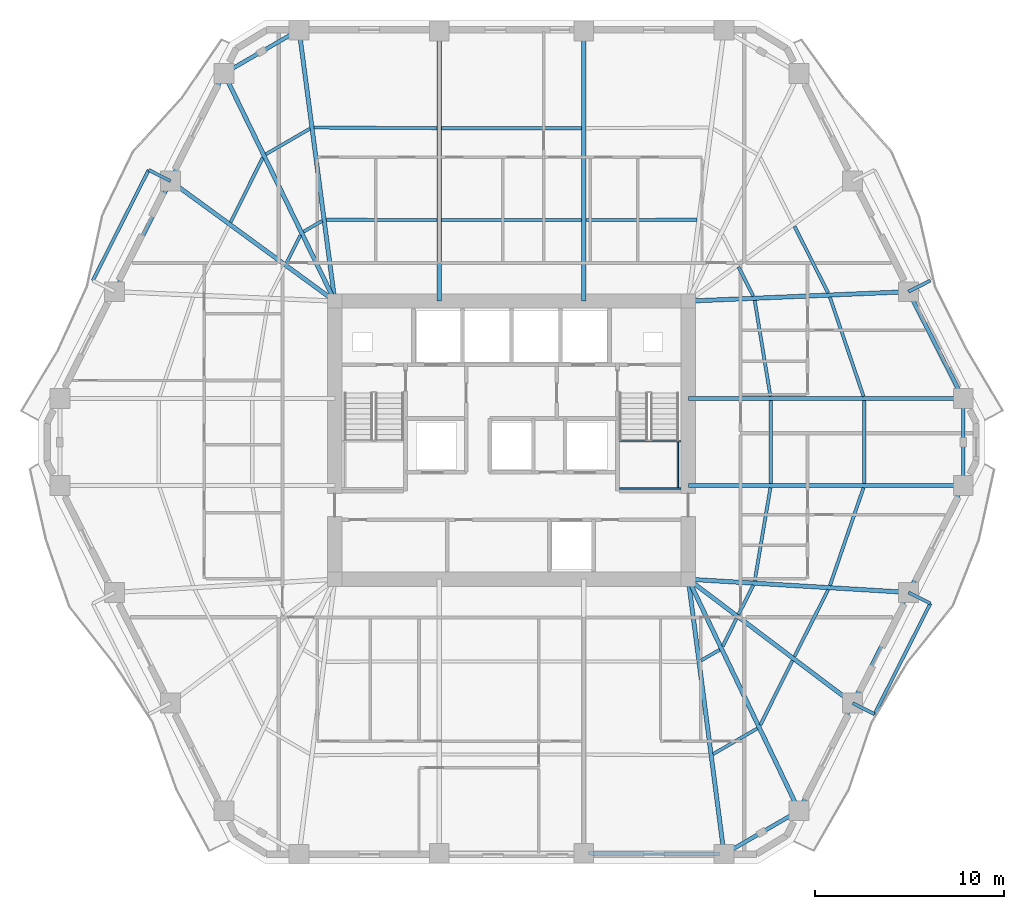
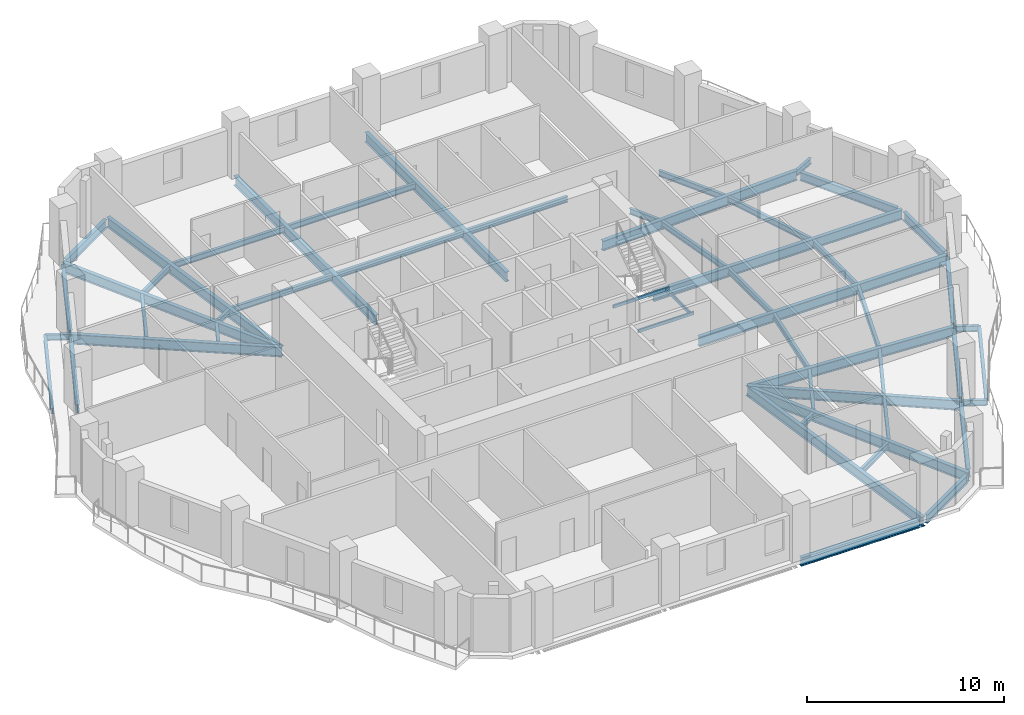
# One storey, part 2 of 11: 54 beams.
"""IFC4 building model written with IfcOpenShell, lengths in metres."""

from ifc_helpers import new_model, si_unit, direction, frame, origin, origin_2d, place, context, subcontext, project, spatial, hollow_rectangle, i_section, extrude, material, material_profile, profile_set, type_object, element, save


model = new_model("IFC4")

# Units and contexts
model_context = context("Model", 3, precision=1e-05, world=origin(), true_north=direction((0.0, 1.0)))
body_context = subcontext(model_context, "Body", "Model", "MODEL_VIEW")
ifc_project = project(units=[si_unit("LENGTHUNIT", "METRE"), si_unit("AREAUNIT", "SQUARE_METRE"), si_unit("VOLUMEUNIT", "CUBIC_METRE"), si_unit("PLANEANGLEUNIT", "RADIAN"), si_unit("MASSUNIT", "GRAM", prefix="KILO")], contexts=[model_context])

# Site, building, storey
site_placement = place(None, origin())
site = spatial("IfcSite", under=ifc_project, at=site_placement, CompositionType="ELEMENT")
building_placement = place(site_placement, origin())
building = spatial("IfcBuilding", under=site, at=building_placement, Name="Cinnabar Lancet Tower", CompositionType="ELEMENT")
storey_placement = place(building_placement, frame((0.0, 0.0, 101.949951171875)))
storey = spatial("IfcBuildingStorey", under=building, at=storey_placement, Name="L26", CompositionType="ELEMENT", Elevation=101.949951171875)

# Beams
ifc_material_1 = material(Name="Structural steel S355", Category="steel")
ifc_material_profile_1 = material_profile(ifc_material_1, i_section(OverallWidth=0.17138671875, OverallDepth=0.35498046875, WebThickness=0.00732421875, FlangeThickness=0.011474609375, FilletRadius=0.01025390625, at=origin_2d()), Name="UKB 356x171x51")
ifc_profile_set_1 = profile_set([ifc_material_profile_1], Name="Structural steel S355")
beam_type_1 = type_object("IfcBeamType", Name="STR-BM-JST-356", PredefinedType="JOIST", material=ifc_profile_set_1)
beam_1_placement = place(storey_placement, frame((43.093994140625, 9.251953125, -0.387939453125), z_axis=(0.865172906898, 0.501473669469, 0.0), x_axis=(-0.501473669469, 0.865172906898, 0.0)))
element("IfcBeam", 1, at=beam_1_placement, inside=storey, type_object=beam_type_1, Name="L26 Secondary Floor Joist 15", PredefinedType="JOIST", context=body_context, shape_type="SweptSolid", body=[
    extrude(i_section(OverallWidth=0.17138671875, OverallDepth=0.35498046875, WebThickness=0.00732421875, FlangeThickness=0.011474609375, FilletRadius=0.01025390625, at=origin_2d()), origin(), (0.0, 0.0, 1.0), 2.705810546875),
])
beam_2_placement = place(storey_placement, frame((42.449951171875, 14.2109375, -0.387939453125), z_axis=(0.865055308165, 0.501676503154, 0.0), x_axis=(-0.501676503154, 0.865055308165, 0.0)))
element("IfcBeam", 2, at=beam_2_placement, inside=storey, type_object=beam_type_1, Name="L26 Secondary Floor Joist 16", PredefinedType="JOIST", context=body_context, shape_type="SweptSolid", body=[
    extrude(i_section(OverallWidth=0.17138671875, OverallDepth=0.35498046875, WebThickness=0.00732421875, FlangeThickness=0.011474609375, FilletRadius=0.01025390625, at=origin_2d()), origin(), (0.0, 0.0, 1.0), 1.14208984375),
])
beam_3_placement = place(storey_placement, frame((45.59912109375, 10.7958984375, -0.387939453125), z_axis=(0.445295120803, 0.895383859241, 0.0), x_axis=(-0.895383859241, 0.445295120803, 0.0)))
element("IfcBeam", 3, at=beam_3_placement, inside=storey, type_object=beam_type_1, Name="L26 Secondary Floor Joist 17", PredefinedType="JOIST", context=body_context, shape_type="SweptSolid", body=[
    extrude(i_section(OverallWidth=0.17138671875, OverallDepth=0.35498046875, WebThickness=0.00732421875, FlangeThickness=0.011474609375, FilletRadius=0.01025390625, at=origin_2d()), origin(), (0.0, 0.0, 1.0), 3.81982421875),
])
beam_4_placement = place(storey_placement, frame((43.60205078125, 14.970947265625, -0.387939453125), z_axis=(0.44543923568, 0.895312173109, 0.0), x_axis=(-0.895312173109, 0.44543923568, 0.0)))
element("IfcBeam", 4, at=beam_4_placement, inside=storey, type_object=beam_type_1, Name="L26 Secondary Floor Joist 18", PredefinedType="JOIST", context=body_context, shape_type="SweptSolid", body=[
    extrude(i_section(OverallWidth=0.17138671875, OverallDepth=0.35498046875, WebThickness=0.00732421875, FlangeThickness=0.011474609375, FilletRadius=0.01025390625, at=origin_2d()), origin(), (0.0, 0.0, 1.0), 1.65185546875),
])
beam_5_placement = place(storey_placement, frame((47.404052734375, 14.424072265625, -0.387939453125), z_axis=(0.450706028652, 0.892672434736, 0.0), x_axis=(-0.892672434736, 0.450706028652, 0.0)))
element("IfcBeam", 5, at=beam_5_placement, inside=storey, type_object=beam_type_1, Name="L26 Secondary Floor Joist 19", PredefinedType="JOIST", context=body_context, shape_type="SweptSolid", body=[
    extrude(i_section(OverallWidth=0.17138671875, OverallDepth=0.35498046875, WebThickness=0.00732421875, FlangeThickness=0.011474609375, FilletRadius=0.01025390625, at=origin_2d()), origin(), (0.0, 0.0, 1.0), 3.966796875),
])
beam_6_placement = place(storey_placement, frame((44.44091796875, 16.657958984375, -0.387939453125), z_axis=(0.450874341268, 0.892587434589, 0.0), x_axis=(-0.892587434589, 0.450874341268, 0.0)))
element("IfcBeam", 6, at=beam_6_placement, inside=storey, type_object=beam_type_1, Name="L26 Secondary Floor Joist 20", PredefinedType="JOIST", context=body_context, shape_type="SweptSolid", body=[
    extrude(i_section(OverallWidth=0.17138671875, OverallDepth=0.35498046875, WebThickness=0.00732421875, FlangeThickness=0.011474609375, FilletRadius=0.01025390625, at=origin_2d()), origin(), (0.0, 0.0, 1.0), 1.732177734375),
])
beam_7_placement = place(storey_placement, frame((49.287109375, 18.18798828125, -0.387939453125), z_axis=(0.324639458548, 0.945837841257, 0.0), x_axis=(-0.945837841257, 0.324639458548, 0.0)))
element("IfcBeam", 7, at=beam_7_placement, inside=storey, type_object=beam_type_1, Name="L26 Secondary Floor Joist 21", PredefinedType="JOIST", context=body_context, shape_type="SweptSolid", body=[
    extrude(i_section(OverallWidth=0.17138671875, OverallDepth=0.35498046875, WebThickness=0.00732421875, FlangeThickness=0.011474609375, FilletRadius=0.01025390625, at=origin_2d()), origin(), (0.0, 0.0, 1.0), 5.486083984375),
])
beam_8_placement = place(storey_placement, frame((45.297119140625, 18.427978515625, -0.387939453125), z_axis=(0.165937104691, 0.986136338082, 0.0), x_axis=(-0.986136338082, 0.165937104691, 0.0)))
element("IfcBeam", 8, at=beam_8_placement, inside=storey, type_object=beam_type_1, Name="L26 Secondary Floor Joist 22", PredefinedType="JOIST", context=body_context, shape_type="SweptSolid", body=[
    extrude(i_section(OverallWidth=0.17138671875, OverallDepth=0.35498046875, WebThickness=0.00732421875, FlangeThickness=0.011474609375, FilletRadius=0.01025390625, at=origin_2d()), origin(), (0.0, 0.0, 1.0), 5.0185546875),
])
for number, where, z_axis, x_axis, name in (
    (9, (51.10693359375, 23.60498046875, -0.387939453125), (0.0, 1.0, 0.0), (-1.0, 0.0, 0.0), "L26 Secondary Floor Joist 23"),
    (10, (46.14990234375, 23.60498046875, -0.387939453125), (0.0, 1.0, 0.0), (-1.0, 0.0, 0.0), "L26 Secondary Floor Joist 24"),
):
    element("IfcBeam", number, at=place(storey_placement, frame(where, z_axis=z_axis, x_axis=x_axis)), inside=storey, type_object=beam_type_1, Name=name, PredefinedType="JOIST", context=body_context, shape_type="SweptSolid", body=[
        extrude(i_section(OverallWidth=0.17138671875, OverallDepth=0.35498046875, WebThickness=0.00732421875, FlangeThickness=0.011474609375, FilletRadius=0.01025390625, at=origin_2d()), origin(), (0.0, 0.0, 1.0), 4.39013671875),
    ])
beam_9_placement = place(storey_placement, frame((51.069091796875, 28.222900390625, -0.387939453125), z_axis=(-0.321063338019, 0.947057724207, 0.0), x_axis=(-0.947057724207, -0.321063338019, 0.0)))
element("IfcBeam", 11, at=beam_9_placement, inside=storey, type_object=beam_type_1, Name="L26 Secondary Floor Joist 25", PredefinedType="JOIST", context=body_context, shape_type="SweptSolid", body=[
    extrude(i_section(OverallWidth=0.17138671875, OverallDepth=0.35498046875, WebThickness=0.00732421875, FlangeThickness=0.011474609375, FilletRadius=0.01025390625, at=origin_2d()), origin(), (0.0, 0.0, 1.0), 5.553955078125),
])
beam_10_placement = place(storey_placement, frame((46.131103515625, 28.222900390625, -0.387939453125), z_axis=(-0.161719098977, 0.986836832017, 0.0), x_axis=(-0.986836832017, -0.161719098977, 0.0)))
element("IfcBeam", 12, at=beam_10_placement, inside=storey, type_object=beam_type_1, Name="L26 Secondary Floor Joist 26", PredefinedType="JOIST", context=body_context, shape_type="SweptSolid", body=[
    extrude(i_section(OverallWidth=0.17138671875, OverallDepth=0.35498046875, WebThickness=0.00732421875, FlangeThickness=0.011474609375, FilletRadius=0.01025390625, at=origin_2d()), origin(), (0.0, 0.0, 1.0), 5.156982421875),
])
beam_11_placement = place(storey_placement, frame((49.19189453125, 33.70703125, -0.387939453125), z_axis=(-0.450606998706, 0.892722427587, 0.0), x_axis=(-0.892722427587, -0.450606998706, 0.0)))
element("IfcBeam", 13, at=beam_11_placement, inside=storey, type_object=beam_type_1, Name="L26 Secondary Floor Joist 27", PredefinedType="JOIST", context=body_context, shape_type="SweptSolid", body=[
    extrude(i_section(OverallWidth=0.17138671875, OverallDepth=0.35498046875, WebThickness=0.00732421875, FlangeThickness=0.011474609375, FilletRadius=0.01025390625, at=origin_2d()), origin(), (0.0, 0.0, 1.0), 3.967529296875),
])
beam_12_placement = place(storey_placement, frame((45.221923828125, 33.537109375, -0.387939453125), z_axis=(-0.450931068976, 0.892558777354, 0.0), x_axis=(-0.892558777354, -0.450931068976, 0.0)))
element("IfcBeam", 14, at=beam_12_placement, inside=storey, type_object=beam_type_1, Name="L26 Secondary Floor Joist 28", PredefinedType="JOIST", context=body_context, shape_type="SweptSolid", body=[
    extrude(i_section(OverallWidth=0.17138671875, OverallDepth=0.35498046875, WebThickness=0.00732421875, FlangeThickness=0.011474609375, FilletRadius=0.01025390625, at=origin_2d()), origin(), (0.0, 0.0, 1.0), 1.73193359375),
])
beam_13_placement = place(storey_placement, frame((42.22802734375, 37.591064453125, -0.387939453125), z_axis=(-0.999996247906, -0.002739374605, 0.0), x_axis=(0.002739374605, -0.999996247906, 0.0)))
element("IfcBeam", 15, at=beam_13_placement, inside=storey, type_object=beam_type_1, Name="L26 Secondary Floor Joist 34", PredefinedType="JOIST", context=body_context, shape_type="SweptSolid", body=[
    extrude(i_section(OverallWidth=0.17138671875, OverallDepth=0.35498046875, WebThickness=0.00732421875, FlangeThickness=0.011474609375, FilletRadius=0.01025390625, at=origin_2d()), origin(), (0.0, 0.0, 1.0), 5.882080078125),
])
for number, where, z_axis, x_axis, name in (
    (16, (36.117919921875, 42.447998046875, -0.387939453125), (-1.0, 0.0, 0.0), (0.0, -1.0, 0.0), "L26 Secondary Floor Joist 35"),
    (17, (36.117919921875, 37.574951171875, -0.387939453125), (-1.0, 0.0, 0.0), (0.0, -1.0, 0.0), "L26 Secondary Floor Joist 36"),
):
    element("IfcBeam", number, at=place(storey_placement, frame(where, z_axis=z_axis, x_axis=x_axis)), inside=storey, type_object=beam_type_1, Name=name, PredefinedType="JOIST", context=body_context, shape_type="SweptSolid", body=[
        extrude(i_section(OverallWidth=0.17138671875, OverallDepth=0.35498046875, WebThickness=0.00732421875, FlangeThickness=0.011474609375, FilletRadius=0.01025390625, at=origin_2d()), origin(), (0.0, 0.0, 1.0), 7.43603515625),
    ])
beam_14_placement = place(storey_placement, frame((28.4541015625, 42.448974609375, -0.387939453125), z_axis=(-0.999987991898, 0.004900618269, 0.0), x_axis=(-0.004900618269, -0.999987991898, 0.0)))
element("IfcBeam", 18, at=beam_14_placement, inside=storey, type_object=beam_type_1, Name="L26 Secondary Floor Joist 37", PredefinedType="JOIST", context=body_context, shape_type="SweptSolid", body=[
    extrude(i_section(OverallWidth=0.17138671875, OverallDepth=0.35498046875, WebThickness=0.00732421875, FlangeThickness=0.011474609375, FilletRadius=0.01025390625, at=origin_2d()), origin(), (0.0, 0.0, 1.0), 6.526123046875),
])
beam_15_placement = place(storey_placement, frame((28.4541015625, 37.574951171875, -0.387939453125), z_axis=(-0.999996247906, 0.002739374605, 0.0), x_axis=(-0.002739374605, -0.999996247906, 0.0)))
element("IfcBeam", 19, at=beam_15_placement, inside=storey, type_object=beam_type_1, Name="L26 Secondary Floor Joist 38", PredefinedType="JOIST", context=body_context, shape_type="SweptSolid", body=[
    extrude(i_section(OverallWidth=0.17138671875, OverallDepth=0.35498046875, WebThickness=0.00732421875, FlangeThickness=0.011474609375, FilletRadius=0.01025390625, at=origin_2d()), origin(), (0.0, 0.0, 1.0), 5.882080078125),
])
beam_16_placement = place(storey_placement, frame((21.7060546875, 42.419921875, -0.387939453125), z_axis=(-0.865172906898, -0.501473669469, 0.0), x_axis=(0.501473669469, -0.865172906898, 0.0)))
element("IfcBeam", 20, at=beam_16_placement, inside=storey, type_object=beam_type_1, Name="L26 Secondary Floor Joist 39", PredefinedType="JOIST", context=body_context, shape_type="SweptSolid", body=[
    extrude(i_section(OverallWidth=0.17138671875, OverallDepth=0.35498046875, WebThickness=0.00732421875, FlangeThickness=0.011474609375, FilletRadius=0.01025390625, at=origin_2d()), origin(), (0.0, 0.0, 1.0), 2.705810546875),
])
beam_17_placement = place(storey_placement, frame((22.35009765625, 37.529052734375, -0.387939453125), z_axis=(-0.865055308165, -0.501676503154, 0.0), x_axis=(0.501676503154, -0.865055308165, 0.0)))
element("IfcBeam", 21, at=beam_17_placement, inside=storey, type_object=beam_type_1, Name="L26 Secondary Floor Joist 40", PredefinedType="JOIST", context=body_context, shape_type="SweptSolid", body=[
    extrude(i_section(OverallWidth=0.17138671875, OverallDepth=0.35498046875, WebThickness=0.00732421875, FlangeThickness=0.011474609375, FilletRadius=0.01025390625, at=origin_2d()), origin(), (0.0, 0.0, 1.0), 1.14208984375),
])
beam_18_placement = place(storey_placement, frame((19.200927734375, 40.876953125, -0.387939453125), z_axis=(-0.445116798807, -0.895472520751, 0.0), x_axis=(0.895472520751, -0.445116798807, 0.0)))
element("IfcBeam", 22, at=beam_18_placement, inside=storey, type_object=beam_type_1, Name="L26 Secondary Floor Joist 41", PredefinedType="JOIST", context=body_context, shape_type="SweptSolid", body=[
    extrude(i_section(OverallWidth=0.17138671875, OverallDepth=0.35498046875, WebThickness=0.00732421875, FlangeThickness=0.011474609375, FilletRadius=0.01025390625, at=origin_2d()), origin(), (0.0, 0.0, 1.0), 3.8212890625),
])
beam_19_placement = place(storey_placement, frame((21.198974609375, 36.77001953125, -0.387939453125), z_axis=(-0.445795466264, -0.895134851438, 0.0), x_axis=(0.895134851438, -0.445795466264, 0.0)))
element("IfcBeam", 23, at=beam_19_placement, inside=storey, type_object=beam_type_1, Name="L26 Secondary Floor Joist 42", PredefinedType="JOIST", context=body_context, shape_type="SweptSolid", body=[
    extrude(i_section(OverallWidth=0.17138671875, OverallDepth=0.35498046875, WebThickness=0.00732421875, FlangeThickness=0.011474609375, FilletRadius=0.01025390625, at=origin_2d()), origin(), (0.0, 0.0, 1.0), 1.6533203125),
])
ifc_material_2 = material(Name="Structural steel S355", Category="steel")
ifc_material_profile_2 = material_profile(ifc_material_2, hollow_rectangle(XDim=0.10009765625, YDim=0.199951171875, WallThickness=0.008056640625, InnerFilletRadius=0.00390625, OuterFilletRadius=0.011962890625, at=origin_2d()), Name="RHS 200x100x8")
ifc_profile_set_2 = profile_set([ifc_material_profile_2], Name="Structural steel S355")
beam_type_2 = type_object("IfcBeamType", Name="STR-BM-LND-203", PredefinedType="BEAM", material=ifc_profile_set_2)
for number, where, z_axis, x_axis, name in (
    (24, (38.1201171875, 23.330078125, 1.47509765625), (1.0, 0.0, 0.0), (0.0, 1.0, 0.0), "L26 ST-2-L26 Landing Support Beam S"),
    (25, (38.1201171875, 25.844970703125, 1.47509765625), (1.0, 0.0, 0.0), (0.0, 1.0, 0.0), "L26 ST-2-L26 Landing Support Beam N"),
):
    element("IfcBeam", number, at=place(storey_placement, frame(where, z_axis=z_axis, x_axis=x_axis)), inside=storey, type_object=beam_type_2, Name=name, PredefinedType="BEAM", context=body_context, shape_type="SweptSolid", body=[
        extrude(hollow_rectangle(XDim=0.10009765625, YDim=0.199951171875, WallThickness=0.008056640625, InnerFilletRadius=0.00390625, OuterFilletRadius=0.011962890625, at=origin_2d()), origin(), (0.0, 0.0, 1.0), 3.27978515625),
    ])
beam_20_placement = place(storey_placement, frame((41.219970703125, 23.3798828125, 1.47509765625), z_axis=(0.0, 1.0, 0.0), x_axis=(-1.0, 0.0, 0.0)))
element("IfcBeam", 26, at=beam_20_placement, inside=storey, type_object=beam_type_2, Name="L26 ST-2-L26 Landing Side Trimmer Beam", PredefinedType="BEAM", context=body_context, shape_type="SweptSolid", body=[
    extrude(hollow_rectangle(XDim=0.10009765625, YDim=0.199951171875, WallThickness=0.008056640625, InnerFilletRadius=0.00390625, OuterFilletRadius=0.011962890625, at=origin_2d()), origin(), (0.0, 0.0, 1.0), 2.4150390625),
])
ifc_material_3 = material(Name="Structural steel S355", Category="steel")
ifc_material_profile_3 = material_profile(ifc_material_3, i_section(OverallWidth=0.209228515625, OverallDepth=0.533203125, WebThickness=0.010009765625, FlangeThickness=0.015625, FilletRadius=0.0126953125, at=origin_2d()), Name="UKB 533x210x92")
ifc_profile_set_3 = profile_set([ifc_material_profile_3], Name="Structural steel S355")
beam_type_3 = type_object("IfcBeamType", Name="STR-BM-SPN-533", PredefinedType="SPANDREL", material=ifc_profile_set_3)
beam_21_placement = place(storey_placement, frame((36.48193359375, 3.989990234375, -0.47705078125), z_axis=(0.999974980359, -0.007073800628, 0.0), x_axis=(0.007073800628, 0.999974980359, 0.0)))
element("IfcBeam", 27, at=beam_21_placement, inside=storey, type_object=beam_type_3, Name="L26 Perimeter Spandrel 3", PredefinedType="SPANDREL", context=body_context, shape_type="SweptSolid", body=[
    extrude(i_section(OverallWidth=0.209228515625, OverallDepth=0.533203125, WebThickness=0.010009765625, FlangeThickness=0.015625, FilletRadius=0.0126953125, at=origin_2d()), origin(), (0.0, 0.0, 1.0), 6.937255859375),
])
beam_22_placement = place(storey_placement, frame((43.885009765625, 4.06396484375, -0.47705078125), z_axis=(0.865112299906, 0.501578217781, 0.0), x_axis=(-0.501578217781, 0.865112299906, 0.0)))
element("IfcBeam", 28, at=beam_22_placement, inside=storey, type_object=beam_type_3, Name="L26 Perimeter Spandrel 4", PredefinedType="SPANDREL", context=body_context, shape_type="SweptSolid", body=[
    extrude(i_section(OverallWidth=0.209228515625, OverallDepth=0.533203125, WebThickness=0.010009765625, FlangeThickness=0.015625, FilletRadius=0.0126953125, at=origin_2d()), origin(), (0.0, 0.0, 1.0), 4.101318359375),
])
beam_23_placement = place(storey_placement, frame((47.760009765625, 6.469970703125, -0.47705078125), z_axis=(0.445501068635, 0.89528140707, 0.0), x_axis=(-0.89528140707, 0.445501068635, 0.0)))
element("IfcBeam", 29, at=beam_23_placement, inside=storey, type_object=beam_type_3, Name="L26 Perimeter Spandrel 5", PredefinedType="SPANDREL", context=body_context, shape_type="SweptSolid", body=[
    extrude(i_section(OverallWidth=0.209228515625, OverallDepth=0.533203125, WebThickness=0.010009765625, FlangeThickness=0.015625, FilletRadius=0.0126953125, at=origin_2d()), origin(), (0.0, 0.0, 1.0), 5.87646484375),
])
beam_24_placement = place(storey_placement, frame((50.60205078125, 12.177978515625, -0.47705078125), z_axis=(0.450570325924, 0.892740937449, 0.0), x_axis=(-0.892740937449, 0.450570325924, 0.0)))
element("IfcBeam", 30, at=beam_24_placement, inside=storey, type_object=beam_type_3, Name="L26 Perimeter Spandrel 6", PredefinedType="SPANDREL", context=body_context, shape_type="SweptSolid", body=[
    extrude(i_section(OverallWidth=0.209228515625, OverallDepth=0.533203125, WebThickness=0.010009765625, FlangeThickness=0.015625, FilletRadius=0.0126953125, at=origin_2d()), origin(), (0.0, 0.0, 1.0), 6.07470703125),
])
beam_25_placement = place(storey_placement, frame((53.56591796875, 18.0458984375, -0.47705078125), z_axis=(0.456109733574, 0.889923542187, 0.0), x_axis=(-0.889923542187, 0.456109733574, 0.0)))
element("IfcBeam", 31, at=beam_25_placement, inside=storey, type_object=beam_type_3, Name="L26 Perimeter Spandrel 7", PredefinedType="SPANDREL", context=body_context, shape_type="SweptSolid", body=[
    extrude(i_section(OverallWidth=0.209228515625, OverallDepth=0.533203125, WebThickness=0.010009765625, FlangeThickness=0.015625, FilletRadius=0.0126953125, at=origin_2d()), origin(), (0.0, 0.0, 1.0), 5.869140625),
])
beam_26_placement = place(storey_placement, frame((56.35693359375, 23.740966796875, -0.47705078125), z_axis=(0.0, 1.0, 0.0), x_axis=(-1.0, 0.0, 0.0)))
element("IfcBeam", 32, at=beam_26_placement, inside=storey, type_object=beam_type_3, Name="L26 Perimeter Spandrel 8", PredefinedType="SPANDREL", context=body_context, shape_type="SweptSolid", body=[
    extrude(i_section(OverallWidth=0.209228515625, OverallDepth=0.533203125, WebThickness=0.010009765625, FlangeThickness=0.015625, FilletRadius=0.0126953125, at=origin_2d()), origin(), (0.0, 0.0, 1.0), 4.117919921875),
])
beam_27_placement = place(storey_placement, frame((56.242919921875, 28.3310546875, -0.47705078125), z_axis=(-0.456126618405, 0.889914888055, 0.0), x_axis=(-0.889914888055, -0.456126618405, 0.0)))
element("IfcBeam", 33, at=beam_27_placement, inside=storey, type_object=beam_type_3, Name="L26 Perimeter Spandrel 9", PredefinedType="SPANDREL", context=body_context, shape_type="SweptSolid", body=[
    extrude(i_section(OverallWidth=0.209228515625, OverallDepth=0.533203125, WebThickness=0.010009765625, FlangeThickness=0.015625, FilletRadius=0.0126953125, at=origin_2d()), origin(), (0.0, 0.0, 1.0), 5.868896484375),
])
beam_28_placement = place(storey_placement, frame((20.9150390625, 47.535888671875, -0.47705078125), z_axis=(-0.865138129765, -0.5015336643, 0.0), x_axis=(0.5015336643, -0.865138129765, 0.0)))
element("IfcBeam", 34, at=beam_28_placement, inside=storey, type_object=beam_type_3, Name="L26 Perimeter Spandrel 16", PredefinedType="SPANDREL", context=body_context, shape_type="SweptSolid", body=[
    extrude(i_section(OverallWidth=0.209228515625, OverallDepth=0.533203125, WebThickness=0.010009765625, FlangeThickness=0.015625, FilletRadius=0.0126953125, at=origin_2d()), origin(), (0.0, 0.0, 1.0), 4.10107421875),
])
beam_29_placement = place(storey_placement, frame((17.0400390625, 45.1298828125, -0.47705078125), z_axis=(-0.445501068635, -0.89528140707, 0.0), x_axis=(0.89528140707, -0.445501068635, 0.0)))
element("IfcBeam", 35, at=beam_29_placement, inside=storey, type_object=beam_type_3, Name="L26 Perimeter Spandrel 17", PredefinedType="SPANDREL", context=body_context, shape_type="SweptSolid", body=[
    extrude(i_section(OverallWidth=0.209228515625, OverallDepth=0.533203125, WebThickness=0.010009765625, FlangeThickness=0.015625, FilletRadius=0.0126953125, at=origin_2d()), origin(), (0.0, 0.0, 1.0), 5.87646484375),
])
beam_30_placement = place(storey_placement, frame((14.197998046875, 39.422119140625, -0.47705078125), z_axis=(-0.450570325924, -0.892740937449, 0.0), x_axis=(0.892740937449, -0.450570325924, 0.0)))
element("IfcBeam", 36, at=beam_30_placement, inside=storey, type_object=beam_type_3, Name="L26 Perimeter Spandrel 18", PredefinedType="SPANDREL", context=body_context, shape_type="SweptSolid", body=[
    extrude(i_section(OverallWidth=0.209228515625, OverallDepth=0.533203125, WebThickness=0.010009765625, FlangeThickness=0.015625, FilletRadius=0.0126953125, at=origin_2d()), origin(), (0.0, 0.0, 1.0), 6.07470703125),
])
ifc_material_4 = material(Name="Structural steel S355", Category="steel")
ifc_material_profile_4 = material_profile(ifc_material_4, i_section(OverallWidth=0.228271484375, OverallDepth=0.607666015625, WebThickness=0.010986328125, FlangeThickness=0.017333984375, FilletRadius=0.0126953125, at=origin_2d()), Name="UKB 610x229x113")
ifc_profile_set_4 = profile_set([ifc_material_profile_4], Name="Structural steel S355")
beam_type_4 = type_object("IfcBeamType", Name="STR-BM-UKB610-113", PredefinedType="BEAM", material=ifc_profile_set_4)
beam_31_placement = place(storey_placement, frame((50.489013671875, 11.955078125, -0.513916015625), z_axis=(-0.798491457835, 0.602006139308, 0.0), x_axis=(-0.602006139308, -0.798491457835, 0.0)))
element("IfcBeam", 37, at=beam_31_placement, inside=storey, type_object=beam_type_4, Name="L26 Corner Collector Girder 2", PredefinedType="BEAM", context=body_context, shape_type="SweptSolid", body=[
    extrude(i_section(OverallWidth=0.228271484375, OverallDepth=0.607666015625, WebThickness=0.010986328125, FlangeThickness=0.017333984375, FilletRadius=0.0126953125, at=origin_2d()), origin(), (0.0, 0.0, 1.0), 10.913330078125),
])
beam_32_placement = place(storey_placement, frame((14.31103515625, 39.64501953125, -0.513916015625), z_axis=(0.807289993592, -0.590154951048, 0.0), x_axis=(0.590154951048, 0.807289993592, 0.0)))
element("IfcBeam", 38, at=beam_32_placement, inside=storey, type_object=beam_type_4, Name="L26 Corner Collector Girder 4", PredefinedType="BEAM", context=body_context, shape_type="SweptSolid", body=[
    extrude(i_section(OverallWidth=0.228271484375, OverallDepth=0.607666015625, WebThickness=0.010986328125, FlangeThickness=0.017333984375, FilletRadius=0.0126953125, at=origin_2d()), origin(), (0.0, 0.0, 1.0), 10.7939453125),
])
beam_33_placement = place(storey_placement, frame((43.6689453125, 3.93896484375, -0.513916015625), z_axis=(-0.12877289353, 0.99167411073, 0.0), x_axis=(-0.99167411073, -0.12877289353, 0.0)))
element("IfcBeam", 39, at=beam_33_placement, inside=storey, type_object=beam_type_4, Name="L26 Primary Floor Girder 4", PredefinedType="BEAM", context=body_context, shape_type="SweptSolid", body=[
    extrude(i_section(OverallWidth=0.228271484375, OverallDepth=0.607666015625, WebThickness=0.010986328125, FlangeThickness=0.017333984375, FilletRadius=0.0126953125, at=origin_2d()), origin(), (0.0, 0.0, 1.0), 14.70849609375),
])
beam_34_placement = place(storey_placement, frame((47.64892578125, 6.24609375, -0.513916015625), z_axis=(-0.431548156881, 0.902089900339, 0.0), x_axis=(-0.902089900339, -0.431548156881, 0.0)))
element("IfcBeam", 40, at=beam_34_placement, inside=storey, type_object=beam_type_4, Name="L26 Primary Floor Girder 5", PredefinedType="BEAM", context=body_context, shape_type="SweptSolid", body=[
    extrude(i_section(OverallWidth=0.228271484375, OverallDepth=0.607666015625, WebThickness=0.010986328125, FlangeThickness=0.017333984375, FilletRadius=0.0126953125, at=origin_2d()), origin(), (0.0, 0.0, 1.0), 13.611572265625),
])
beam_35_placement = place(storey_placement, frame((53.451904296875, 17.823974609375, -0.513916015625), z_axis=(-0.998203272991, 0.059918492897, 0.0), x_axis=(-0.059918492897, -0.998203272991, 0.0)))
element("IfcBeam", 41, at=beam_35_placement, inside=storey, type_object=beam_type_4, Name="L26 Primary Floor Girder 7", PredefinedType="BEAM", context=body_context, shape_type="SweptSolid", body=[
    extrude(i_section(OverallWidth=0.228271484375, OverallDepth=0.607666015625, WebThickness=0.010986328125, FlangeThickness=0.017333984375, FilletRadius=0.0126953125, at=origin_2d()), origin(), (0.0, 0.0, 1.0), 11.697998046875),
])
for number, where, z_axis, x_axis, name in (
    (42, (56.35693359375, 23.490966796875, -0.513916015625), (-1.0, 0.0, 0.0), (0.0, -1.0, 0.0), "L26 Primary Floor Girder 8"),
    (43, (56.35693359375, 28.10888671875, -0.513916015625), (-1.0, 0.0, 0.0), (0.0, -1.0, 0.0), "L26 Primary Floor Girder 9"),
):
    element("IfcBeam", number, at=place(storey_placement, frame(where, z_axis=z_axis, x_axis=x_axis)), inside=storey, type_object=beam_type_4, Name=name, PredefinedType="BEAM", context=body_context, shape_type="SweptSolid", body=[
        extrude(i_section(OverallWidth=0.228271484375, OverallDepth=0.607666015625, WebThickness=0.010986328125, FlangeThickness=0.017333984375, FilletRadius=0.0126953125, at=origin_2d()), origin(), (0.0, 0.0, 1.0), 14.58203125),
    ])
beam_36_placement = place(storey_placement, frame((53.451904296875, 33.77587890625, -0.513916015625), z_axis=(-0.999080941658, -0.042863411158, 0.0), x_axis=(0.042863411158, -0.999080941658, 0.0)))
element("IfcBeam", 44, at=beam_36_placement, inside=storey, type_object=beam_type_4, Name="L26 Primary Floor Girder 10", PredefinedType="BEAM", context=body_context, shape_type="SweptSolid", body=[
    extrude(i_section(OverallWidth=0.228271484375, OverallDepth=0.607666015625, WebThickness=0.010986328125, FlangeThickness=0.017333984375, FilletRadius=0.0126953125, at=origin_2d()), origin(), (0.0, 0.0, 1.0), 11.687744140625),
])
for number, where, z_axis, x_axis, name in (
    (45, (36.23193359375, 47.60791015625, -0.513916015625), (0.0, -1.0, 0.0), (1.0, 0.0, 0.0), "L26 Primary Floor Girder 14"),
    (46, (28.568115234375, 47.60791015625, -0.513916015625), (0.0, -1.0, 0.0), (1.0, 0.0, 0.0), "L26 Primary Floor Girder 15"),
):
    element("IfcBeam", number, at=place(storey_placement, frame(where, z_axis=z_axis, x_axis=x_axis)), inside=storey, type_object=beam_type_4, Name=name, PredefinedType="BEAM", context=body_context, shape_type="SweptSolid", body=[
        extrude(i_section(OverallWidth=0.228271484375, OverallDepth=0.607666015625, WebThickness=0.010986328125, FlangeThickness=0.017333984375, FilletRadius=0.0126953125, at=origin_2d()), origin(), (0.0, 0.0, 1.0), 14.3330078125),
    ])
beam_37_placement = place(storey_placement, frame((21.131103515625, 47.660888671875, -0.513916015625), z_axis=(0.130515881524, -0.991446218748, 0.0), x_axis=(0.991446218748, 0.130515881524, 0.0)))
element("IfcBeam", 47, at=beam_37_placement, inside=storey, type_object=beam_type_4, Name="L26 Primary Floor Girder 16", PredefinedType="BEAM", context=body_context, shape_type="SweptSolid", body=[
    extrude(i_section(OverallWidth=0.228271484375, OverallDepth=0.607666015625, WebThickness=0.010986328125, FlangeThickness=0.017333984375, FilletRadius=0.0126953125, at=origin_2d()), origin(), (0.0, 0.0, 1.0), 14.510009765625),
])
beam_38_placement = place(storey_placement, frame((17.15087890625, 45.35400390625, -0.513916015625), z_axis=(0.437327473227, -0.899302330232, 0.0), x_axis=(0.899302330232, 0.437327473227, 0.0)))
element("IfcBeam", 48, at=beam_38_placement, inside=storey, type_object=beam_type_4, Name="L26 Primary Floor Girder 17", PredefinedType="BEAM", context=body_context, shape_type="SweptSolid", body=[
    extrude(i_section(OverallWidth=0.228271484375, OverallDepth=0.607666015625, WebThickness=0.010986328125, FlangeThickness=0.017333984375, FilletRadius=0.0126953125, at=origin_2d()), origin(), (0.0, 0.0, 1.0), 13.431640625),
])
ifc_material_5 = material(Name="Structural steel S355", Category="steel")
ifc_material_profile_5 = material_profile(ifc_material_5, i_section(OverallWidth=0.17138671875, OverallDepth=0.35498046875, WebThickness=0.00732421875, FlangeThickness=0.011474609375, FilletRadius=0.01025390625, at=origin_2d()), Name="UKB 356x171x51")
ifc_profile_set_5 = profile_set([ifc_material_profile_5], Name="Structural steel S355")
beam_type_5 = type_object("IfcBeamType", Name="STR-BM-WAV-OUT", PredefinedType="BEAM", material=ifc_profile_set_5)
for number, where, z_axis, x_axis, name in (
    (49, (50.489013671875, 11.955078125, -0.39697265625), (0.892200264127, -0.451639998995, 0.0), (0.451639998995, 0.892200264127, 0.0), "L26 Face 2 Balcony Outlooker A"),
    (50, (53.451904296875, 17.823974609375, -0.39697265625), (0.892314203325, -0.451414845285, 0.0), (0.451414845285, 0.892314203325, 0.0), "L26 Face 2 Balcony Outlooker B"),
):
    element("IfcBeam", number, at=place(storey_placement, frame(where, z_axis=z_axis, x_axis=x_axis)), inside=storey, type_object=beam_type_5, Name=name, PredefinedType="BEAM", context=body_context, shape_type="SweptSolid", body=[
        extrude(i_section(OverallWidth=0.17138671875, OverallDepth=0.35498046875, WebThickness=0.00732421875, FlangeThickness=0.011474609375, FilletRadius=0.01025390625, at=origin_2d()), origin(), (0.0, 0.0, 1.0), 1.300048828125),
    ])
beam_39_placement = place(storey_placement, frame((53.451904296875, 33.77587890625, -0.39697265625), z_axis=(0.892238560088, 0.451564338597, 0.0), x_axis=(-0.451564338597, 0.892238560088, 0.0)))
element("IfcBeam", 51, at=beam_39_placement, inside=storey, type_object=beam_type_5, Name="L26 Face 3 Balcony Outlooker A", PredefinedType="BEAM", context=body_context, shape_type="SweptSolid", body=[
    extrude(i_section(OverallWidth=0.17138671875, OverallDepth=0.35498046875, WebThickness=0.00732421875, FlangeThickness=0.011474609375, FilletRadius=0.01025390625, at=origin_2d()), origin(), (0.0, 0.0, 1.0), 1.30029296875),
])
beam_40_placement = place(storey_placement, frame((14.31103515625, 39.64501953125, -0.39697265625), z_axis=(-0.892314203325, 0.451414845285, 0.0), x_axis=(-0.451414845285, -0.892314203325, 0.0)))
element("IfcBeam", 52, at=beam_40_placement, inside=storey, type_object=beam_type_5, Name="L26 Face 5 Balcony Outlooker A", PredefinedType="BEAM", context=body_context, shape_type="SweptSolid", body=[
    extrude(i_section(OverallWidth=0.17138671875, OverallDepth=0.35498046875, WebThickness=0.00732421875, FlangeThickness=0.011474609375, FilletRadius=0.01025390625, at=origin_2d()), origin(), (0.0, 0.0, 1.0), 1.300048828125),
])
ifc_material_6 = material(Name="Structural steel S355", Category="steel")
ifc_material_profile_6 = material_profile(ifc_material_6, i_section(OverallWidth=0.17138671875, OverallDepth=0.35498046875, WebThickness=0.00732421875, FlangeThickness=0.011474609375, FilletRadius=0.01025390625, at=origin_2d()), Name="UKB 356x171x51")
ifc_profile_set_6 = profile_set([ifc_material_profile_6], Name="Structural steel S355")
beam_type_6 = type_object("IfcBeamType", Name="STR-BM-WAV-TRIM", PredefinedType="SPANDREL", material=ifc_profile_set_6)
beam_41_placement = place(storey_placement, frame((51.64892578125, 11.367919921875, -0.39697265625), z_axis=(0.450685888317, 0.892682603209, 0.0), x_axis=(-0.892682603209, 0.450685888317, 0.0)))
element("IfcBeam", 53, at=beam_41_placement, inside=storey, type_object=beam_type_6, Name="L26 Face 2 Balcony Edge Trimmer", PredefinedType="SPANDREL", context=body_context, shape_type="SweptSolid", body=[
    extrude(i_section(OverallWidth=0.17138671875, OverallDepth=0.35498046875, WebThickness=0.00732421875, FlangeThickness=0.011474609375, FilletRadius=0.01025390625, at=origin_2d()), origin(), (0.0, 0.0, 1.0), 6.57470703125),
])
beam_42_placement = place(storey_placement, frame((13.15087890625, 40.23193359375, -0.39697265625), z_axis=(-0.450671236139, -0.892690000457, 0.0), x_axis=(0.892690000457, -0.450671236139, 0.0)))
element("IfcBeam", 54, at=beam_42_placement, inside=storey, type_object=beam_type_6, Name="L26 Face 5 Balcony Edge Trimmer", PredefinedType="SPANDREL", context=body_context, shape_type="SweptSolid", body=[
    extrude(i_section(OverallWidth=0.17138671875, OverallDepth=0.35498046875, WebThickness=0.00732421875, FlangeThickness=0.011474609375, FilletRadius=0.01025390625, at=origin_2d()), origin(), (0.0, 0.0, 1.0), 6.574462890625),
])

save(model, "model.ifc")
